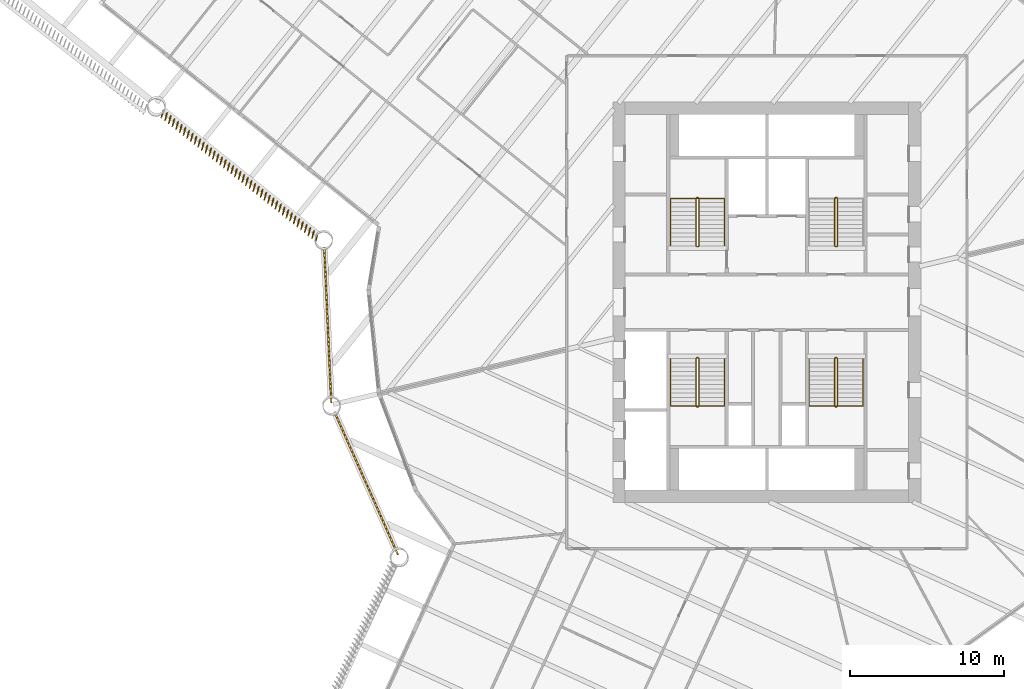
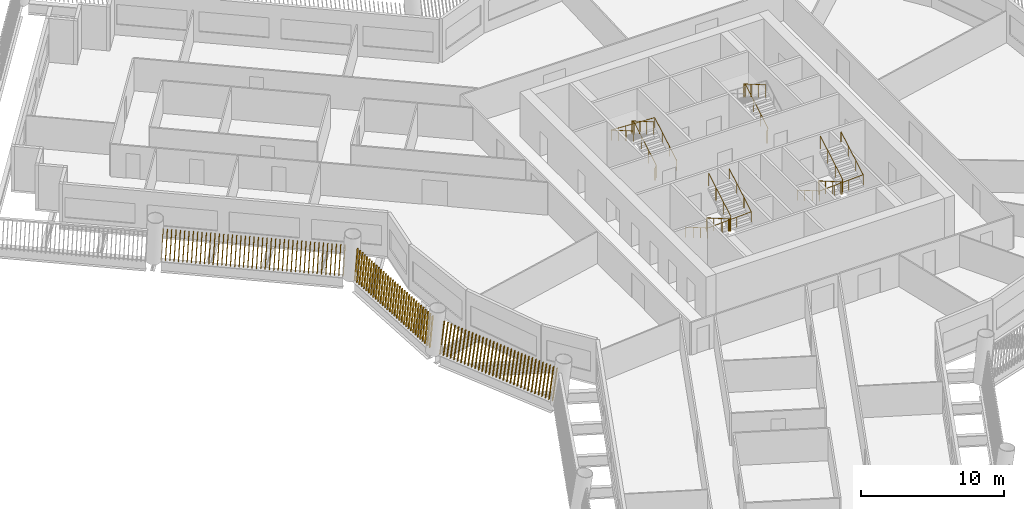
# One storey, part 12 of 16: 7 railings, 3 shading devices.
"""IFC4 building model written with IfcOpenShell, lengths in metres."""

from ifc_helpers import new_model, si_unit, direction, frame, frame_2d, origin, origin_2d, place, context, subcontext, project, spatial, rectangle, circle, composite_profile, extrude, material, type_object, element, save


model = new_model("IFC4")

# Units and contexts
model_context = context("Model", 3, precision=1e-05, world=origin(), true_north=direction((0.0, 1.0)))
body_context = subcontext(model_context, "Body", "Model", "MODEL_VIEW")
ifc_project = project(units=[si_unit("LENGTHUNIT", "METRE"), si_unit("AREAUNIT", "SQUARE_METRE"), si_unit("VOLUMEUNIT", "CUBIC_METRE"), si_unit("PLANEANGLEUNIT", "RADIAN"), si_unit("MASSUNIT", "GRAM", prefix="KILO")], contexts=[model_context])

# Site, building, storey
site_placement = place(None, origin())
site = spatial("IfcSite", under=ifc_project, at=site_placement, CompositionType="ELEMENT")
building_placement = place(site_placement, origin())
building = spatial("IfcBuilding", under=site, at=building_placement, Name="Tarsis Ring Headquarters", CompositionType="ELEMENT")
storey_placement = place(building_placement, frame((0.0, 0.0, 112.300048828125)))
storey = spatial("IfcBuildingStorey", under=building, at=storey_placement, Name="L25", CompositionType="ELEMENT", Elevation=112.300048828125)

# Railings
ifc_material_1 = material(Name="Steel S355", Category="steel")
railing_type_1 = type_object("IfcRailingType", Name="Core stair guard 1100", PredefinedType="GUARDRAIL", material=ifc_material_1)
railing_1_placement = place(storey_placement, frame((-4.5400390625, 3.610107421875, 0.0)))
element("IfcRailing", 1, at=railing_1_placement, inside=storey, type_object=railing_type_1, Name="L25 ST1 stair guard 1", PredefinedType="GUARDRAIL", context=body_context, shape_type="SweptSolid", body=[
    extrude(circle(Radius=0.02392578125, at=origin_2d()), frame((0.0, 0.0, 1.076171875), z_axis=(1.0, 0.0, 0.0), x_axis=(0.0, 1.0, 0.0)), (0.0, 0.0, 1.0), 0.080078125),
    extrude(circle(Radius=0.02392578125, at=origin_2d()), frame((0.080078125, 0.0, 1.076171875), z_axis=(0.282693820306, 0.281314826061, 0.917031173188), x_axis=(-0.705375805398, 0.708833529934, 0.0)), (0.0, 0.0, 1.0), 0.177001953125),
    extrude(circle(Radius=0.02392578125, at=origin_2d()), frame((0.130126953125, 0.0498046875, 1.23828125), z_axis=(0.0, 0.864890721111, 0.501960198159), x_axis=(-1.0, 0.0, 0.0)), (0.0, 0.0, 1.0), 3.561279296875),
    extrude(circle(Radius=0.02392578125, at=origin_2d()), frame((0.130126953125, 3.1298828125, 3.02587890625), z_axis=(-0.707106781187, 0.707106781187, 0.0), x_axis=(-0.707106781187, -0.707106781187, 0.0)), (0.0, 0.0, 1.0), 0.07080078125),
    extrude(circle(Radius=0.02392578125, at=origin_2d()), frame((0.080078125, 3.179931640625, 3.02587890625), z_axis=(-1.0, 0.0, 0.0), x_axis=(0.0, -1.0, 0.0)), (0.0, 0.0, 1.0), 0.080078125),
    extrude(circle(Radius=0.02392578125, at=origin_2d()), frame((0.0, 3.179931640625, 3.02587890625), z_axis=(-0.282227285176, -0.282227285176, 0.916894497205), x_axis=(0.707106781187, -0.707106781187, 0.0)), (0.0, 0.0, 1.0), 0.17724609375),
    extrude(circle(Radius=0.02392578125, at=origin_2d()), frame((-0.050048828125, 3.1298828125, 3.1884765625), z_axis=(0.0, -0.864920483161, 0.501908913857), x_axis=(1.0, 0.0, 0.0)), (0.0, 0.0, 1.0), 3.56103515625),
    extrude(circle(Radius=0.02099609375, at=origin_2d()), origin(), (0.0, 0.0, 1.0), 1.052001953125),
    extrude(circle(Radius=0.02099609375, at=origin_2d()), frame((0.080078125, 0.0, 0.0)), (0.0, 0.0, 1.0), 1.052001953125),
    extrude(circle(Radius=0.02099609375, at=origin_2d()), frame((0.130126953125, 0.0498046875, 0.162353515625)), (0.0, 0.0, 1.0), 1.052001953125),
    extrude(circle(Radius=0.02099609375, at=origin_2d()), frame((0.130126953125, 1.076416015625, 0.75830078125)), (0.0, 0.0, 1.0), 1.052001953125),
    extrude(circle(Radius=0.02099609375, at=origin_2d()), frame((0.130126953125, 2.103271484375, 1.35400390625)), (0.0, 0.0, 1.0), 1.052001953125),
    extrude(circle(Radius=0.02099609375, at=origin_2d()), frame((0.130126953125, 3.1298828125, 1.949951171875)), (0.0, 0.0, 1.0), 1.052001953125),
    extrude(circle(Radius=0.02099609375, at=origin_2d()), frame((0.080078125, 3.179931640625, 1.949951171875)), (0.0, 0.0, 1.0), 1.052001953125),
    extrude(circle(Radius=0.02099609375, at=origin_2d()), frame((0.0, 3.179931640625, 1.949951171875)), (0.0, 0.0, 1.0), 1.052001953125),
    extrude(circle(Radius=0.02099609375, at=origin_2d()), frame((-0.050048828125, 3.1298828125, 2.112548828125)), (0.0, 0.0, 1.0), 1.052001953125),
    extrude(circle(Radius=0.02099609375, at=origin_2d()), frame((-0.050048828125, 2.103271484375, 2.708251953125)), (0.0, 0.0, 1.0), 1.052001953125),
    extrude(circle(Radius=0.02099609375, at=origin_2d()), frame((-0.050048828125, 1.076416015625, 3.30419921875)), (0.0, 0.0, 1.0), 1.052001953125),
    extrude(circle(Radius=0.02099609375, at=origin_2d()), frame((-0.050048828125, 0.0498046875, 3.89990234375)), (0.0, 0.0, 1.0), 1.052001953125),
])
railing_2_placement = place(storey_placement, frame((4.4599609375, 3.610107421875, 0.0)))
element("IfcRailing", 2, at=railing_2_placement, inside=storey, type_object=railing_type_1, Name="L25 ST2 stair guard 1", PredefinedType="GUARDRAIL", context=body_context, shape_type="SweptSolid", body=[
    extrude(circle(Radius=0.02392578125, at=origin_2d()), frame((0.0, 0.0, 1.076171875), z_axis=(1.0, 0.0, 0.0), x_axis=(0.0, 1.0, 0.0)), (0.0, 0.0, 1.0), 0.080078125),
    extrude(circle(Radius=0.02392578125, at=origin_2d()), frame((0.080078125, 0.0, 1.076171875), z_axis=(0.282693820306, 0.281314826061, 0.917031173188), x_axis=(-0.705375805398, 0.708833529934, 0.0)), (0.0, 0.0, 1.0), 0.177001953125),
    extrude(circle(Radius=0.02392578125, at=origin_2d()), frame((0.130126953125, 0.0498046875, 1.23828125), z_axis=(0.0, 0.864890721111, 0.501960198159), x_axis=(-1.0, 0.0, 0.0)), (0.0, 0.0, 1.0), 3.561279296875),
    extrude(circle(Radius=0.02392578125, at=origin_2d()), frame((0.130126953125, 3.1298828125, 3.02587890625), z_axis=(-0.707106781187, 0.707106781187, 0.0), x_axis=(-0.707106781187, -0.707106781187, 0.0)), (0.0, 0.0, 1.0), 0.07080078125),
    extrude(circle(Radius=0.02392578125, at=origin_2d()), frame((0.080078125, 3.179931640625, 3.02587890625), z_axis=(-1.0, 0.0, 0.0), x_axis=(0.0, -1.0, 0.0)), (0.0, 0.0, 1.0), 0.080078125),
    extrude(circle(Radius=0.02392578125, at=origin_2d()), frame((0.0, 3.179931640625, 3.02587890625), z_axis=(-0.282227285176, -0.282227285176, 0.916894497205), x_axis=(0.707106781187, -0.707106781187, 0.0)), (0.0, 0.0, 1.0), 0.17724609375),
    extrude(circle(Radius=0.02392578125, at=origin_2d()), frame((-0.050048828125, 3.1298828125, 3.1884765625), z_axis=(0.0, -0.864920483161, 0.501908913857), x_axis=(1.0, 0.0, 0.0)), (0.0, 0.0, 1.0), 3.56103515625),
    extrude(circle(Radius=0.02099609375, at=origin_2d()), origin(), (0.0, 0.0, 1.0), 1.052001953125),
    extrude(circle(Radius=0.02099609375, at=origin_2d()), frame((0.080078125, 0.0, 0.0)), (0.0, 0.0, 1.0), 1.052001953125),
    extrude(circle(Radius=0.02099609375, at=origin_2d()), frame((0.130126953125, 0.0498046875, 0.162353515625)), (0.0, 0.0, 1.0), 1.052001953125),
    extrude(circle(Radius=0.02099609375, at=origin_2d()), frame((0.130126953125, 1.076416015625, 0.75830078125)), (0.0, 0.0, 1.0), 1.052001953125),
    extrude(circle(Radius=0.02099609375, at=origin_2d()), frame((0.130126953125, 2.103271484375, 1.35400390625)), (0.0, 0.0, 1.0), 1.052001953125),
    extrude(circle(Radius=0.02099609375, at=origin_2d()), frame((0.130126953125, 3.1298828125, 1.949951171875)), (0.0, 0.0, 1.0), 1.052001953125),
    extrude(circle(Radius=0.02099609375, at=origin_2d()), frame((0.080078125, 3.179931640625, 1.949951171875)), (0.0, 0.0, 1.0), 1.052001953125),
    extrude(circle(Radius=0.02099609375, at=origin_2d()), frame((0.0, 3.179931640625, 1.949951171875)), (0.0, 0.0, 1.0), 1.052001953125),
    extrude(circle(Radius=0.02099609375, at=origin_2d()), frame((-0.050048828125, 3.1298828125, 2.112548828125)), (0.0, 0.0, 1.0), 1.052001953125),
    extrude(circle(Radius=0.02099609375, at=origin_2d()), frame((-0.050048828125, 2.103271484375, 2.708251953125)), (0.0, 0.0, 1.0), 1.052001953125),
    extrude(circle(Radius=0.02099609375, at=origin_2d()), frame((-0.050048828125, 1.076416015625, 3.30419921875)), (0.0, 0.0, 1.0), 1.052001953125),
    extrude(circle(Radius=0.02099609375, at=origin_2d()), frame((-0.050048828125, 0.0498046875, 3.89990234375)), (0.0, 0.0, 1.0), 1.052001953125),
])
railing_3_placement = place(storey_placement, frame((-4.4599609375, -3.610107421875, 0.0)))
element("IfcRailing", 3, at=railing_3_placement, inside=storey, type_object=railing_type_1, Name="L25 ST3 stair guard 1", PredefinedType="GUARDRAIL", context=body_context, shape_type="SweptSolid", body=[
    extrude(circle(Radius=0.02392578125, at=origin_2d()), frame((0.0, 0.0, 1.076171875), z_axis=(-1.0, 0.0, 0.0), x_axis=(0.0, -1.0, 0.0)), (0.0, 0.0, 1.0), 0.080078125),
    extrude(circle(Radius=0.02392578125, at=origin_2d()), frame((-0.080078125, 0.0, 1.076171875), z_axis=(-0.282693820306, -0.281314826061, 0.917031173188), x_axis=(0.705375805398, -0.708833529934, 0.0)), (0.0, 0.0, 1.0), 0.177001953125),
    extrude(circle(Radius=0.02392578125, at=origin_2d()), frame((-0.130126953125, -0.0498046875, 1.23828125), z_axis=(0.0, -0.864890721111, 0.501960198159), x_axis=(1.0, 0.0, 0.0)), (0.0, 0.0, 1.0), 3.561279296875),
    extrude(circle(Radius=0.02392578125, at=origin_2d()), frame((-0.130126953125, -3.1298828125, 3.02587890625), z_axis=(0.707106781187, -0.707106781187, 0.0), x_axis=(0.707106781187, 0.707106781187, 0.0)), (0.0, 0.0, 1.0), 0.07080078125),
    extrude(circle(Radius=0.02392578125, at=origin_2d()), frame((-0.080078125, -3.179931640625, 3.02587890625), z_axis=(1.0, 0.0, 0.0), x_axis=(0.0, 1.0, 0.0)), (0.0, 0.0, 1.0), 0.080078125),
    extrude(circle(Radius=0.02392578125, at=origin_2d()), frame((0.0, -3.179931640625, 3.02587890625), z_axis=(0.282227285176, 0.282227285176, 0.916894497205), x_axis=(-0.707106781187, 0.707106781187, 0.0)), (0.0, 0.0, 1.0), 0.17724609375),
    extrude(circle(Radius=0.02392578125, at=origin_2d()), frame((0.050048828125, -3.1298828125, 3.1884765625), z_axis=(0.0, 0.864920483161, 0.501908913857), x_axis=(-1.0, 0.0, 0.0)), (0.0, 0.0, 1.0), 3.56103515625),
    extrude(circle(Radius=0.02099609375, at=origin_2d()), origin(), (0.0, 0.0, 1.0), 1.052001953125),
    extrude(circle(Radius=0.02099609375, at=origin_2d()), frame((-0.080078125, 0.0, 0.0)), (0.0, 0.0, 1.0), 1.052001953125),
    extrude(circle(Radius=0.02099609375, at=origin_2d()), frame((-0.130126953125, -0.0498046875, 0.162353515625)), (0.0, 0.0, 1.0), 1.052001953125),
    extrude(circle(Radius=0.02099609375, at=origin_2d()), frame((-0.130126953125, -1.076416015625, 0.75830078125)), (0.0, 0.0, 1.0), 1.052001953125),
    extrude(circle(Radius=0.02099609375, at=origin_2d()), frame((-0.130126953125, -2.103271484375, 1.35400390625)), (0.0, 0.0, 1.0), 1.052001953125),
    extrude(circle(Radius=0.02099609375, at=origin_2d()), frame((-0.130126953125, -3.1298828125, 1.949951171875)), (0.0, 0.0, 1.0), 1.052001953125),
    extrude(circle(Radius=0.02099609375, at=origin_2d()), frame((-0.080078125, -3.179931640625, 1.949951171875)), (0.0, 0.0, 1.0), 1.052001953125),
    extrude(circle(Radius=0.02099609375, at=origin_2d()), frame((0.0, -3.179931640625, 1.949951171875)), (0.0, 0.0, 1.0), 1.052001953125),
    extrude(circle(Radius=0.02099609375, at=origin_2d()), frame((0.050048828125, -3.1298828125, 2.112548828125)), (0.0, 0.0, 1.0), 1.052001953125),
    extrude(circle(Radius=0.02099609375, at=origin_2d()), frame((0.050048828125, -2.103271484375, 2.708251953125)), (0.0, 0.0, 1.0), 1.052001953125),
    extrude(circle(Radius=0.02099609375, at=origin_2d()), frame((0.050048828125, -1.076416015625, 3.30419921875)), (0.0, 0.0, 1.0), 1.052001953125),
    extrude(circle(Radius=0.02099609375, at=origin_2d()), frame((0.050048828125, -0.0498046875, 3.89990234375)), (0.0, 0.0, 1.0), 1.052001953125),
])
railing_4_placement = place(storey_placement, frame((4.5400390625, -3.610107421875, 0.0)))
element("IfcRailing", 4, at=railing_4_placement, inside=storey, type_object=railing_type_1, Name="L25 ST4 stair guard 1", PredefinedType="GUARDRAIL", context=body_context, shape_type="SweptSolid", body=[
    extrude(circle(Radius=0.02392578125, at=origin_2d()), frame((0.0, 0.0, 1.076171875), z_axis=(-1.0, 0.0, 0.0), x_axis=(0.0, -1.0, 0.0)), (0.0, 0.0, 1.0), 0.080078125),
    extrude(circle(Radius=0.02392578125, at=origin_2d()), frame((-0.080078125, 0.0, 1.076171875), z_axis=(-0.282693820306, -0.281314826061, 0.917031173188), x_axis=(0.705375805398, -0.708833529934, 0.0)), (0.0, 0.0, 1.0), 0.177001953125),
    extrude(circle(Radius=0.02392578125, at=origin_2d()), frame((-0.130126953125, -0.0498046875, 1.23828125), z_axis=(0.0, -0.864890721111, 0.501960198159), x_axis=(1.0, 0.0, 0.0)), (0.0, 0.0, 1.0), 3.561279296875),
    extrude(circle(Radius=0.02392578125, at=origin_2d()), frame((-0.130126953125, -3.1298828125, 3.02587890625), z_axis=(0.707106781187, -0.707106781187, 0.0), x_axis=(0.707106781187, 0.707106781187, 0.0)), (0.0, 0.0, 1.0), 0.07080078125),
    extrude(circle(Radius=0.02392578125, at=origin_2d()), frame((-0.080078125, -3.179931640625, 3.02587890625), z_axis=(1.0, 0.0, 0.0), x_axis=(0.0, 1.0, 0.0)), (0.0, 0.0, 1.0), 0.080078125),
    extrude(circle(Radius=0.02392578125, at=origin_2d()), frame((0.0, -3.179931640625, 3.02587890625), z_axis=(0.282227285176, 0.282227285176, 0.916894497205), x_axis=(-0.707106781187, 0.707106781187, 0.0)), (0.0, 0.0, 1.0), 0.17724609375),
    extrude(circle(Radius=0.02392578125, at=origin_2d()), frame((0.050048828125, -3.1298828125, 3.1884765625), z_axis=(0.0, 0.864920483161, 0.501908913857), x_axis=(-1.0, 0.0, 0.0)), (0.0, 0.0, 1.0), 3.56103515625),
    extrude(circle(Radius=0.02099609375, at=origin_2d()), origin(), (0.0, 0.0, 1.0), 1.052001953125),
    extrude(circle(Radius=0.02099609375, at=origin_2d()), frame((-0.080078125, 0.0, 0.0)), (0.0, 0.0, 1.0), 1.052001953125),
    extrude(circle(Radius=0.02099609375, at=origin_2d()), frame((-0.130126953125, -0.0498046875, 0.162353515625)), (0.0, 0.0, 1.0), 1.052001953125),
    extrude(circle(Radius=0.02099609375, at=origin_2d()), frame((-0.130126953125, -1.076416015625, 0.75830078125)), (0.0, 0.0, 1.0), 1.052001953125),
    extrude(circle(Radius=0.02099609375, at=origin_2d()), frame((-0.130126953125, -2.103271484375, 1.35400390625)), (0.0, 0.0, 1.0), 1.052001953125),
    extrude(circle(Radius=0.02099609375, at=origin_2d()), frame((-0.130126953125, -3.1298828125, 1.949951171875)), (0.0, 0.0, 1.0), 1.052001953125),
    extrude(circle(Radius=0.02099609375, at=origin_2d()), frame((-0.080078125, -3.179931640625, 1.949951171875)), (0.0, 0.0, 1.0), 1.052001953125),
    extrude(circle(Radius=0.02099609375, at=origin_2d()), frame((0.0, -3.179931640625, 1.949951171875)), (0.0, 0.0, 1.0), 1.052001953125),
    extrude(circle(Radius=0.02099609375, at=origin_2d()), frame((0.050048828125, -3.1298828125, 2.112548828125)), (0.0, 0.0, 1.0), 1.052001953125),
    extrude(circle(Radius=0.02099609375, at=origin_2d()), frame((0.050048828125, -2.103271484375, 2.708251953125)), (0.0, 0.0, 1.0), 1.052001953125),
    extrude(circle(Radius=0.02099609375, at=origin_2d()), frame((0.050048828125, -1.076416015625, 3.30419921875)), (0.0, 0.0, 1.0), 1.052001953125),
    extrude(circle(Radius=0.02099609375, at=origin_2d()), frame((0.050048828125, -0.0498046875, 3.89990234375)), (0.0, 0.0, 1.0), 1.052001953125),
])
railing_type_2 = type_object("IfcRailingType", Name="Core stair handrail 900", PredefinedType="HANDRAIL", material=ifc_material_1)
railing_5_placement = place(storey_placement, frame((-2.75, 3.659912109375, 0.162353515625)))
element("IfcRailing", 5, at=railing_5_placement, inside=storey, type_object=railing_type_2, Name="L25 ST1 stair handrail 1", PredefinedType="HANDRAIL", context=body_context, shape_type="SweptSolid", body=[
    extrude(circle(Radius=0.02392578125, at=origin_2d()), frame((0.0, 0.0, 0.8759765625), z_axis=(0.0, 0.864890721111, 0.501960198159), x_axis=(-1.0, 0.0, 0.0)), (0.0, 0.0, 1.0), 3.561279296875),
    extrude(circle(Radius=0.02392578125, at=origin_2d()), frame((0.0, 3.080078125, 2.66357421875), z_axis=(-0.998922641604, 0.0, 0.046406422943), x_axis=(0.0, -1.0, 0.0)), (0.0, 0.0, 1.0), 3.503662109375),
    extrude(circle(Radius=0.02392578125, at=origin_2d()), frame((-3.5, 3.080078125, 2.826171875), z_axis=(0.0, -0.864920483161, 0.501908913857), x_axis=(1.0, 0.0, 0.0)), (0.0, 0.0, 1.0), 3.56103515625),
    extrude(circle(Radius=0.02099609375, at=origin_2d()), origin(), (0.0, 0.0, 1.0), 0.851806640625),
    extrude(circle(Radius=0.02099609375, at=origin_2d()), frame((0.0, 1.026611328125, 0.595947265625)), (0.0, 0.0, 1.0), 0.851806640625),
    extrude(circle(Radius=0.02099609375, at=origin_2d()), frame((0.0, 2.053466796875, 1.191650390625)), (0.0, 0.0, 1.0), 0.851806640625),
    extrude(circle(Radius=0.02099609375, at=origin_2d()), frame((0.0, 3.080078125, 1.78759765625)), (0.0, 0.0, 1.0), 0.851806640625),
    extrude(circle(Radius=0.02099609375, at=origin_2d()), frame((-1.166748046875, 3.080078125, 1.841796875)), (0.0, 0.0, 1.0), 0.851806640625),
    extrude(circle(Radius=0.02099609375, at=origin_2d()), frame((-2.333251953125, 3.080078125, 1.89599609375)), (0.0, 0.0, 1.0), 0.851806640625),
    extrude(circle(Radius=0.02099609375, at=origin_2d()), frame((-3.5, 3.080078125, 1.9501953125)), (0.0, 0.0, 1.0), 0.851806640625),
    extrude(circle(Radius=0.02099609375, at=origin_2d()), frame((-3.5, 2.053466796875, 2.5458984375)), (0.0, 0.0, 1.0), 0.851806640625),
    extrude(circle(Radius=0.02099609375, at=origin_2d()), frame((-3.5, 1.026611328125, 3.141845703125)), (0.0, 0.0, 1.0), 0.851806640625),
    extrude(circle(Radius=0.02099609375, at=origin_2d()), frame((-3.5, 0.0, 3.737548828125)), (0.0, 0.0, 1.0), 0.851806640625),
])
railing_6_placement = place(storey_placement, frame((-6.25, -3.659912109375, 0.162353515625)))
element("IfcRailing", 6, at=railing_6_placement, inside=storey, type_object=railing_type_2, Name="L25 ST3 stair handrail 1", PredefinedType="HANDRAIL", context=body_context, shape_type="SweptSolid", body=[
    extrude(circle(Radius=0.02392578125, at=origin_2d()), frame((0.0, 0.0, 0.8759765625), z_axis=(0.0, -0.864890721111, 0.501960198159), x_axis=(1.0, 0.0, 0.0)), (0.0, 0.0, 1.0), 3.561279296875),
    extrude(circle(Radius=0.02392578125, at=origin_2d()), frame((0.0, -3.080078125, 2.66357421875), z_axis=(0.998922641604, 0.0, 0.046406422943), x_axis=(0.0, 1.0, 0.0)), (0.0, 0.0, 1.0), 3.503662109375),
    extrude(circle(Radius=0.02392578125, at=origin_2d()), frame((3.5, -3.080078125, 2.826171875), z_axis=(0.0, 0.864920483161, 0.501908913857), x_axis=(-1.0, 0.0, 0.0)), (0.0, 0.0, 1.0), 3.56103515625),
    extrude(circle(Radius=0.02099609375, at=origin_2d()), origin(), (0.0, 0.0, 1.0), 0.851806640625),
    extrude(circle(Radius=0.02099609375, at=origin_2d()), frame((0.0, -1.026611328125, 0.595947265625)), (0.0, 0.0, 1.0), 0.851806640625),
    extrude(circle(Radius=0.02099609375, at=origin_2d()), frame((0.0, -2.053466796875, 1.191650390625)), (0.0, 0.0, 1.0), 0.851806640625),
    extrude(circle(Radius=0.02099609375, at=origin_2d()), frame((0.0, -3.080078125, 1.78759765625)), (0.0, 0.0, 1.0), 0.851806640625),
    extrude(circle(Radius=0.02099609375, at=origin_2d()), frame((1.166748046875, -3.080078125, 1.841796875)), (0.0, 0.0, 1.0), 0.851806640625),
    extrude(circle(Radius=0.02099609375, at=origin_2d()), frame((2.333251953125, -3.080078125, 1.89599609375)), (0.0, 0.0, 1.0), 0.851806640625),
    extrude(circle(Radius=0.02099609375, at=origin_2d()), frame((3.5, -3.080078125, 1.9501953125)), (0.0, 0.0, 1.0), 0.851806640625),
    extrude(circle(Radius=0.02099609375, at=origin_2d()), frame((3.5, -2.053466796875, 2.5458984375)), (0.0, 0.0, 1.0), 0.851806640625),
    extrude(circle(Radius=0.02099609375, at=origin_2d()), frame((3.5, -1.026611328125, 3.141845703125)), (0.0, 0.0, 1.0), 0.851806640625),
    extrude(circle(Radius=0.02099609375, at=origin_2d()), frame((3.5, 0.0, 3.737548828125)), (0.0, 0.0, 1.0), 0.851806640625),
])
railing_7_placement = place(storey_placement, frame((2.75, -3.659912109375, 0.162353515625)))
element("IfcRailing", 7, at=railing_7_placement, inside=storey, type_object=railing_type_2, Name="L25 ST4 stair handrail 1", PredefinedType="HANDRAIL", context=body_context, shape_type="SweptSolid", body=[
    extrude(circle(Radius=0.02392578125, at=origin_2d()), frame((0.0, 0.0, 0.8759765625), z_axis=(0.0, -0.864890721111, 0.501960198159), x_axis=(1.0, 0.0, 0.0)), (0.0, 0.0, 1.0), 3.561279296875),
    extrude(circle(Radius=0.02392578125, at=origin_2d()), frame((0.0, -3.080078125, 2.66357421875), z_axis=(0.998922641604, 0.0, 0.046406422943), x_axis=(0.0, 1.0, 0.0)), (0.0, 0.0, 1.0), 3.503662109375),
    extrude(circle(Radius=0.02392578125, at=origin_2d()), frame((3.5, -3.080078125, 2.826171875), z_axis=(0.0, 0.864920483161, 0.501908913857), x_axis=(-1.0, 0.0, 0.0)), (0.0, 0.0, 1.0), 3.56103515625),
    extrude(circle(Radius=0.02099609375, at=origin_2d()), origin(), (0.0, 0.0, 1.0), 0.851806640625),
    extrude(circle(Radius=0.02099609375, at=origin_2d()), frame((0.0, -1.026611328125, 0.595947265625)), (0.0, 0.0, 1.0), 0.851806640625),
    extrude(circle(Radius=0.02099609375, at=origin_2d()), frame((0.0, -2.053466796875, 1.191650390625)), (0.0, 0.0, 1.0), 0.851806640625),
    extrude(circle(Radius=0.02099609375, at=origin_2d()), frame((0.0, -3.080078125, 1.78759765625)), (0.0, 0.0, 1.0), 0.851806640625),
    extrude(circle(Radius=0.02099609375, at=origin_2d()), frame((1.166748046875, -3.080078125, 1.841796875)), (0.0, 0.0, 1.0), 0.851806640625),
    extrude(circle(Radius=0.02099609375, at=origin_2d()), frame((2.333251953125, -3.080078125, 1.89599609375)), (0.0, 0.0, 1.0), 0.851806640625),
    extrude(circle(Radius=0.02099609375, at=origin_2d()), frame((3.5, -3.080078125, 1.9501953125)), (0.0, 0.0, 1.0), 0.851806640625),
    extrude(circle(Radius=0.02099609375, at=origin_2d()), frame((3.5, -2.053466796875, 2.5458984375)), (0.0, 0.0, 1.0), 0.851806640625),
    extrude(circle(Radius=0.02099609375, at=origin_2d()), frame((3.5, -1.026611328125, 3.141845703125)), (0.0, 0.0, 1.0), 0.851806640625),
    extrude(circle(Radius=0.02099609375, at=origin_2d()), frame((3.5, 0.0, 3.737548828125)), (0.0, 0.0, 1.0), 0.851806640625),
])

# Shading devices
ifc_material_2 = material(Name="Terracotta baguette", Category="masonry")
shading_device_type = type_object("IfcShadingDeviceType", Name="Terracotta baguette screen", PredefinedType="USERDEFINED", material=ifc_material_2)
shading_device_1_placement = place(storey_placement, frame((-28.071044921875, -7.119873046875, 0.0), z_axis=(0.0, 0.0, 1.0), x_axis=(0.405846346034, -0.913928794503, 0.0)))
element("IfcShadingDevice", 8, at=shading_device_1_placement, inside=storey, type_object=shading_device_type, Name="Baguette screen L25-00", ObjectType="Terracotta baguette screen", PredefinedType="USERDEFINED", context=body_context, shape_type="SweptSolid", body=[
    extrude(composite_profile([rectangle(XDim=0.06005859375, YDim=0.1201171875, at=frame_2d((0.030029296875, 0.0))), rectangle(XDim=0.06005859375, YDim=0.1201171875, at=frame_2d((0.33349609375, 0.0))), rectangle(XDim=0.06005859375, YDim=0.1201171875, at=frame_2d((0.636962890625, 0.0))), rectangle(XDim=0.06005859375, YDim=0.1201171875, at=frame_2d((0.9404296875, 0.0))), rectangle(XDim=0.06005859375, YDim=0.1201171875, at=frame_2d((1.243896484375, 0.0))), rectangle(XDim=0.06005859375, YDim=0.1201171875, at=frame_2d((1.54736328125, 0.0))), rectangle(XDim=0.06005859375, YDim=0.1201171875, at=frame_2d((1.85107421875, 0.0))), rectangle(XDim=0.06005859375, YDim=0.1201171875, at=frame_2d((2.154541015625, 0.0))), rectangle(XDim=0.06005859375, YDim=0.1201171875, at=frame_2d((2.4580078125, 0.0))), rectangle(XDim=0.06005859375, YDim=0.1201171875, at=frame_2d((2.761474609375, 0.0))), rectangle(XDim=0.06005859375, YDim=0.1201171875, at=frame_2d((3.06494140625, 0.0))), rectangle(XDim=0.06005859375, YDim=0.1201171875, at=frame_2d((3.368408203125, 0.0))), rectangle(XDim=0.06005859375, YDim=0.1201171875, at=frame_2d((3.671875, 0.0))), rectangle(XDim=0.06005859375, YDim=0.1201171875, at=frame_2d((3.975341796875, 0.0))), rectangle(XDim=0.06005859375, YDim=0.1201171875, at=frame_2d((4.27880859375, 0.0))), rectangle(XDim=0.06005859375, YDim=0.1201171875, at=frame_2d((4.582275390625, 0.0))), rectangle(XDim=0.06005859375, YDim=0.1201171875, at=frame_2d((4.8857421875, 0.0))), rectangle(XDim=0.06005859375, YDim=0.1201171875, at=frame_2d((5.189453125, 0.0))), rectangle(XDim=0.06005859375, YDim=0.1201171875, at=frame_2d((5.492919921875, 0.0))), rectangle(XDim=0.06005859375, YDim=0.1201171875, at=frame_2d((5.79638671875, 0.0))), rectangle(XDim=0.06005859375, YDim=0.1201171875, at=frame_2d((6.099853515625, 0.0))), rectangle(XDim=0.06005859375, YDim=0.1201171875, at=frame_2d((6.4033203125, 0.0))), rectangle(XDim=0.06005859375, YDim=0.1201171875, at=frame_2d((6.706787109375, 0.0))), rectangle(XDim=0.06005859375, YDim=0.1201171875, at=frame_2d((7.01025390625, 0.0))), rectangle(XDim=0.06005859375, YDim=0.1201171875, at=frame_2d((7.313720703125, 0.0))), rectangle(XDim=0.06005859375, YDim=0.1201171875, at=frame_2d((7.6171875, 0.0))), rectangle(XDim=0.06005859375, YDim=0.1201171875, at=frame_2d((7.920654296875, 0.0))), rectangle(XDim=0.06005859375, YDim=0.1201171875, at=frame_2d((8.224365234375, 0.0))), rectangle(XDim=0.06005859375, YDim=0.1201171875, at=frame_2d((8.52783203125, 0.0))), rectangle(XDim=0.06005859375, YDim=0.1201171875, at=frame_2d((8.831298828125, 0.0))), rectangle(XDim=0.06005859375, YDim=0.1201171875, at=frame_2d((9.134765625, 0.0))), rectangle(XDim=0.06005859375, YDim=0.1201171875, at=frame_2d((9.438232421875, 0.0))), rectangle(XDim=0.06005859375, YDim=0.1201171875, at=frame_2d((9.74169921875, 0.0)))]), origin(), (0.130479506164, 0.000889594702, 0.99145060749), 2.97802734375),
])
shading_device_2_placement = place(storey_placement, frame((-39.211669921875, 12.48486328125, 0.0), z_axis=(0.0, 0.0, 1.0), x_axis=(0.779991674236, -0.62577580987, 0.0)))
element("IfcShadingDevice", 9, at=shading_device_2_placement, inside=storey, type_object=shading_device_type, Name="Baguette screen L25-20", ObjectType="Terracotta baguette screen", PredefinedType="USERDEFINED", context=body_context, shape_type="SweptSolid", body=[
    extrude(composite_profile([rectangle(XDim=0.06005859375, YDim=0.1201171875, at=frame_2d((0.030029296875, 0.0))), rectangle(XDim=0.06005859375, YDim=0.1201171875, at=frame_2d((0.335693359375, 0.0))), rectangle(XDim=0.06005859375, YDim=0.1201171875, at=frame_2d((0.6416015625, 0.0))), rectangle(XDim=0.06005859375, YDim=0.1201171875, at=frame_2d((0.947265625, 0.0))), rectangle(XDim=0.06005859375, YDim=0.1201171875, at=frame_2d((1.253173828125, 0.0))), rectangle(XDim=0.06005859375, YDim=0.1201171875, at=frame_2d((1.558837890625, 0.0))), rectangle(XDim=0.06005859375, YDim=0.1201171875, at=frame_2d((1.864501953125, 0.0))), rectangle(XDim=0.06005859375, YDim=0.1201171875, at=frame_2d((2.17041015625, 0.0))), rectangle(XDim=0.06005859375, YDim=0.1201171875, at=frame_2d((2.47607421875, 0.0))), rectangle(XDim=0.06005859375, YDim=0.1201171875, at=frame_2d((2.781982421875, 0.0))), rectangle(XDim=0.06005859375, YDim=0.1201171875, at=frame_2d((3.087646484375, 0.0))), rectangle(XDim=0.06005859375, YDim=0.1201171875, at=frame_2d((3.393310546875, 0.0))), rectangle(XDim=0.06005859375, YDim=0.1201171875, at=frame_2d((3.69921875, 0.0))), rectangle(XDim=0.06005859375, YDim=0.1201171875, at=frame_2d((4.0048828125, 0.0))), rectangle(XDim=0.06005859375, YDim=0.1201171875, at=frame_2d((4.310791015625, 0.0))), rectangle(XDim=0.06005859375, YDim=0.1201171875, at=frame_2d((4.616455078125, 0.0))), rectangle(XDim=0.06005859375, YDim=0.1201171875, at=frame_2d((4.922119140625, 0.0))), rectangle(XDim=0.06005859375, YDim=0.1201171875, at=frame_2d((5.22802734375, 0.0))), rectangle(XDim=0.06005859375, YDim=0.1201171875, at=frame_2d((5.53369140625, 0.0))), rectangle(XDim=0.06005859375, YDim=0.1201171875, at=frame_2d((5.839599609375, 0.0))), rectangle(XDim=0.06005859375, YDim=0.1201171875, at=frame_2d((6.145263671875, 0.0))), rectangle(XDim=0.06005859375, YDim=0.1201171875, at=frame_2d((6.451171875, 0.0))), rectangle(XDim=0.06005859375, YDim=0.1201171875, at=frame_2d((6.7568359375, 0.0))), rectangle(XDim=0.06005859375, YDim=0.1201171875, at=frame_2d((7.0625, 0.0))), rectangle(XDim=0.06005859375, YDim=0.1201171875, at=frame_2d((7.368408203125, 0.0))), rectangle(XDim=0.06005859375, YDim=0.1201171875, at=frame_2d((7.674072265625, 0.0))), rectangle(XDim=0.06005859375, YDim=0.1201171875, at=frame_2d((7.97998046875, 0.0))), rectangle(XDim=0.06005859375, YDim=0.1201171875, at=frame_2d((8.28564453125, 0.0))), rectangle(XDim=0.06005859375, YDim=0.1201171875, at=frame_2d((8.59130859375, 0.0))), rectangle(XDim=0.06005859375, YDim=0.1201171875, at=frame_2d((8.897216796875, 0.0))), rectangle(XDim=0.06005859375, YDim=0.1201171875, at=frame_2d((9.202880859375, 0.0))), rectangle(XDim=0.06005859375, YDim=0.1201171875, at=frame_2d((9.5087890625, 0.0))), rectangle(XDim=0.06005859375, YDim=0.1201171875, at=frame_2d((9.814453125, 0.0))), rectangle(XDim=0.06005859375, YDim=0.1201171875, at=frame_2d((10.1201171875, 0.0))), rectangle(XDim=0.06005859375, YDim=0.1201171875, at=frame_2d((10.426025390625, 0.0))), rectangle(XDim=0.06005859375, YDim=0.1201171875, at=frame_2d((10.731689453125, 0.0))), rectangle(XDim=0.06005859375, YDim=0.1201171875, at=frame_2d((11.03759765625, 0.0))), rectangle(XDim=0.06005859375, YDim=0.1201171875, at=frame_2d((11.34326171875, 0.0))), rectangle(XDim=0.06005859375, YDim=0.1201171875, at=frame_2d((11.64892578125, 0.0))), rectangle(XDim=0.06005859375, YDim=0.1201171875, at=frame_2d((11.954833984375, 0.0))), rectangle(XDim=0.06005859375, YDim=0.1201171875, at=frame_2d((12.260498046875, 0.0))), rectangle(XDim=0.06005859375, YDim=0.1201171875, at=frame_2d((12.56640625, 0.0))), rectangle(XDim=0.06005859375, YDim=0.1201171875, at=frame_2d((12.8720703125, 0.0)))]), origin(), (0.068342025987, -0.144928058628, 0.98707913832), 2.9912109375),
])
shading_device_3_placement = place(storey_placement, frame((-28.735595703125, 3.598388671875, 0.0), z_axis=(0.0, 0.0, 1.0), x_axis=(0.044923046172, -0.99900059964, 0.0)))
element("IfcShadingDevice", 10, at=shading_device_3_placement, inside=storey, type_object=shading_device_type, Name="Baguette screen L25-21", ObjectType="Terracotta baguette screen", PredefinedType="USERDEFINED", context=body_context, shape_type="SweptSolid", body=[
    extrude(composite_profile([rectangle(XDim=0.06005859375, YDim=0.1201171875, at=frame_2d((0.030029296875, 0.0))), rectangle(XDim=0.06005859375, YDim=0.1201171875, at=frame_2d((0.33349609375, 0.0))), rectangle(XDim=0.06005859375, YDim=0.1201171875, at=frame_2d((0.636962890625, 0.0))), rectangle(XDim=0.06005859375, YDim=0.1201171875, at=frame_2d((0.9404296875, 0.0))), rectangle(XDim=0.06005859375, YDim=0.1201171875, at=frame_2d((1.243896484375, 0.0))), rectangle(XDim=0.06005859375, YDim=0.1201171875, at=frame_2d((1.54736328125, 0.0))), rectangle(XDim=0.06005859375, YDim=0.1201171875, at=frame_2d((1.850830078125, 0.0))), rectangle(XDim=0.06005859375, YDim=0.1201171875, at=frame_2d((2.154296875, 0.0))), rectangle(XDim=0.06005859375, YDim=0.1201171875, at=frame_2d((2.4580078125, 0.0))), rectangle(XDim=0.06005859375, YDim=0.1201171875, at=frame_2d((2.761474609375, 0.0))), rectangle(XDim=0.06005859375, YDim=0.1201171875, at=frame_2d((3.06494140625, 0.0))), rectangle(XDim=0.06005859375, YDim=0.1201171875, at=frame_2d((3.368408203125, 0.0))), rectangle(XDim=0.06005859375, YDim=0.1201171875, at=frame_2d((3.671875, 0.0))), rectangle(XDim=0.06005859375, YDim=0.1201171875, at=frame_2d((3.975341796875, 0.0))), rectangle(XDim=0.06005859375, YDim=0.1201171875, at=frame_2d((4.27880859375, 0.0))), rectangle(XDim=0.06005859375, YDim=0.1201171875, at=frame_2d((4.582275390625, 0.0))), rectangle(XDim=0.06005859375, YDim=0.1201171875, at=frame_2d((4.8857421875, 0.0))), rectangle(XDim=0.06005859375, YDim=0.1201171875, at=frame_2d((5.189208984375, 0.0))), rectangle(XDim=0.06005859375, YDim=0.1201171875, at=frame_2d((5.49267578125, 0.0))), rectangle(XDim=0.06005859375, YDim=0.1201171875, at=frame_2d((5.796142578125, 0.0))), rectangle(XDim=0.06005859375, YDim=0.1201171875, at=frame_2d((6.099609375, 0.0))), rectangle(XDim=0.06005859375, YDim=0.1201171875, at=frame_2d((6.403076171875, 0.0))), rectangle(XDim=0.06005859375, YDim=0.1201171875, at=frame_2d((6.70654296875, 0.0))), rectangle(XDim=0.06005859375, YDim=0.1201171875, at=frame_2d((7.010009765625, 0.0))), rectangle(XDim=0.06005859375, YDim=0.1201171875, at=frame_2d((7.3134765625, 0.0))), rectangle(XDim=0.06005859375, YDim=0.1201171875, at=frame_2d((7.6171875, 0.0))), rectangle(XDim=0.06005859375, YDim=0.1201171875, at=frame_2d((7.920654296875, 0.0))), rectangle(XDim=0.06005859375, YDim=0.1201171875, at=frame_2d((8.22412109375, 0.0))), rectangle(XDim=0.06005859375, YDim=0.1201171875, at=frame_2d((8.527587890625, 0.0))), rectangle(XDim=0.06005859375, YDim=0.1201171875, at=frame_2d((8.8310546875, 0.0))), rectangle(XDim=0.06005859375, YDim=0.1201171875, at=frame_2d((9.134521484375, 0.0))), rectangle(XDim=0.06005859375, YDim=0.1201171875, at=frame_2d((9.43798828125, 0.0))), rectangle(XDim=0.06005859375, YDim=0.1201171875, at=frame_2d((9.741455078125, 0.0)))]), origin(), (0.130482294287, 0.000888971475, 0.991450241115), 2.97802734375),
])

save(model, "model.ifc")
